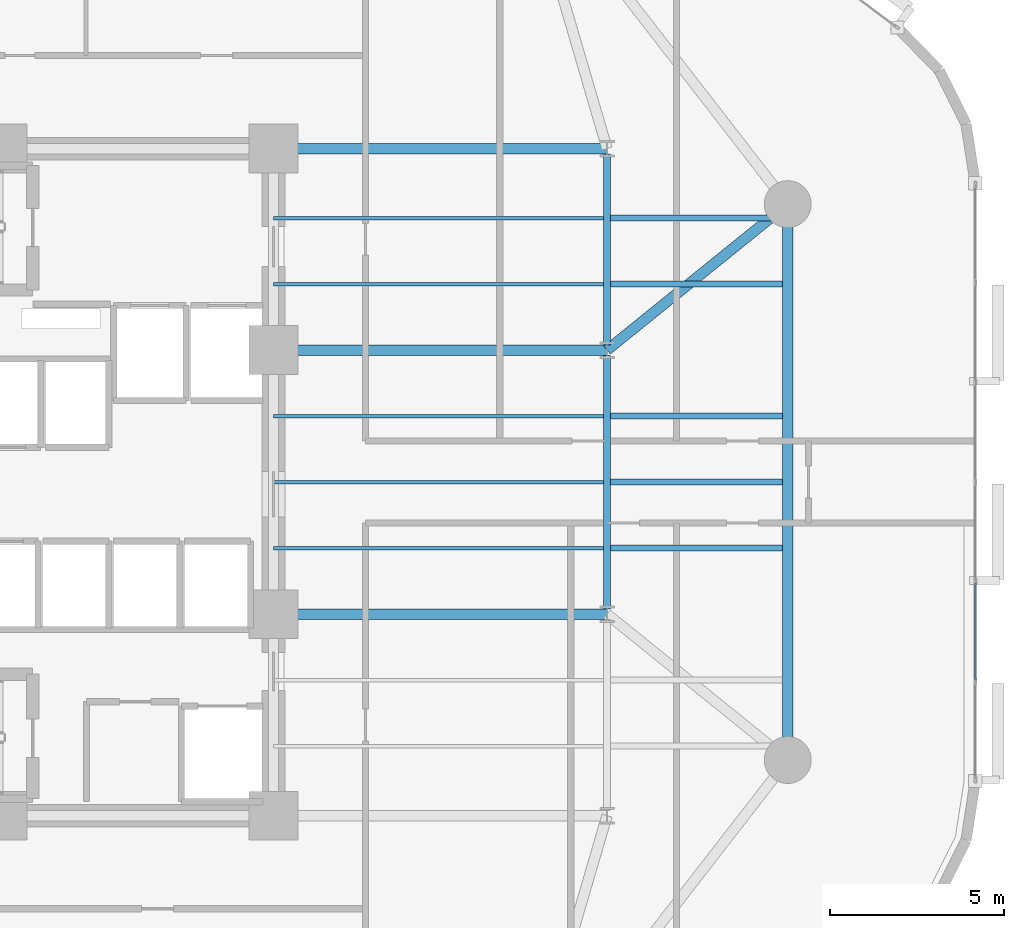
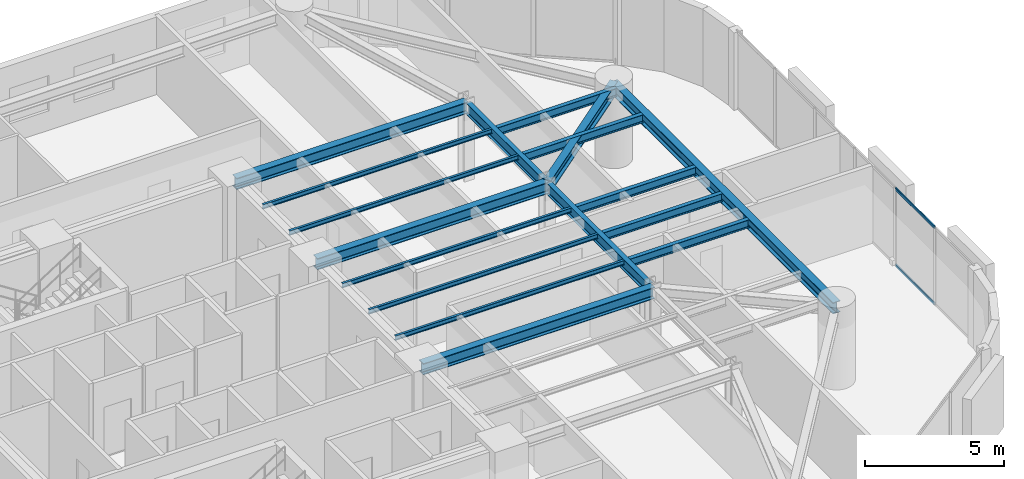
# One storey, part 5 of 16: 17 beams, 2 members, 1 element without a shape of its own.
"""IFC4 building model written with IfcOpenShell, lengths in metres."""

from ifc_helpers import new_model, si_unit, direction, frame, origin, origin_2d, place, context, subcontext, project, spatial, hollow_rectangle, i_section, extrude, material, layer, layer_set, material_profile, profile_set, type_object, element, aggregate, save


model = new_model("IFC4")

# Units and contexts
model_context = context("Model", 3, precision=1e-05, world=origin(), true_north=direction((0.0, 1.0)))
body_context = subcontext(model_context, "Body", "Model", "MODEL_VIEW")
ifc_project = project(units=[si_unit("LENGTHUNIT", "METRE"), si_unit("AREAUNIT", "SQUARE_METRE"), si_unit("VOLUMEUNIT", "CUBIC_METRE"), si_unit("PLANEANGLEUNIT", "RADIAN"), si_unit("MASSUNIT", "GRAM", prefix="KILO")], contexts=[model_context])

# Site, building, storey
site_placement = place(None, origin())
site = spatial("IfcSite", under=ifc_project, at=site_placement, CompositionType="ELEMENT")
building_placement = place(site_placement, origin())
building = spatial("IfcBuilding", under=site, at=building_placement, Name="An Khanh Terracotta Commons", CompositionType="ELEMENT")
storey_placement = place(building_placement, frame((0.0, 0.0, 111.5)))
storey = spatial("IfcBuildingStorey", under=building, at=storey_placement, Name="L29", CompositionType="ELEMENT", Elevation=111.5)

# Beams
ifc_material_1 = material(Name="Steel S355J2", Category="steel")
ifc_material_profile_1 = material_profile(ifc_material_1, i_section(OverallWidth=0.300048828125, OverallDepth=0.5, WebThickness=0.014404296875, FlangeThickness=0.028076171875, FilletRadius=0.027099609375, at=origin_2d()), Name="HEB500")
ifc_profile_set_1 = profile_set([ifc_material_profile_1], Name="Steel S355J2")
beam_type_1 = type_object("IfcBeamType", Name="BM-HEB500", PredefinedType="BEAM", material=ifc_profile_set_1)
beam_1_placement = place(storey_placement, frame((52.0, 16.0, 3.14990234375), z_axis=(0.0, 1.0, 0.0), x_axis=(-1.0, 0.0, 0.0)))
element("IfcBeam", 1, at=beam_1_placement, inside=storey, type_object=beam_type_1, Name="L29 Perimeter Ring Spandrel 3", PredefinedType="BEAM", context=body_context, shape_type="SweptSolid", body=[
    extrude(i_section(OverallWidth=0.300048828125, OverallDepth=0.5, WebThickness=0.014404296875, FlangeThickness=0.028076171875, FilletRadius=0.027099609375, at=origin_2d()), origin(), (0.0, 0.0, 1.0), 16.0),
])
for number, where, z_axis, x_axis, name in (
    (2, (37.199951171875, 20.199951171875, 3.14990234375), (1.0, 0.0, 0.0), (0.0, 1.0, 0.0), "L29 East Primary Floor Girder 2"),
    (3, (37.199951171875, 27.800048828125, 3.14990234375), (1.0, 0.0, 0.0), (0.0, 1.0, 0.0), "L29 East Primary Floor Girder 3"),
    (4, (37.199951171875, 33.60009765625, 3.14990234375), (1.0, 0.0, 0.0), (0.0, 1.0, 0.0), "L29 East Primary Floor Girder 4"),
):
    element("IfcBeam", number, at=place(storey_placement, frame(where, z_axis=z_axis, x_axis=x_axis)), inside=storey, type_object=beam_type_1, Name=name, PredefinedType="BEAM", context=body_context, shape_type="SweptSolid", body=[
        extrude(i_section(OverallWidth=0.300048828125, OverallDepth=0.5, WebThickness=0.014404296875, FlangeThickness=0.028076171875, FilletRadius=0.027099609375, at=origin_2d()), origin(), (0.0, 0.0, 1.0), 9.60009765625),
    ])
beam_2_placement = place(storey_placement, frame((52.0, 32.0, 3.14990234375), z_axis=(-0.777941866883, -0.628336256913, 0.0), x_axis=(0.628336256913, -0.777941866883, 0.0)))
element("IfcBeam", 5, at=beam_2_placement, inside=storey, type_object=beam_type_1, Name="L29 Mega-Column Tie Girder 4", PredefinedType="BEAM", context=body_context, shape_type="SweptSolid", body=[
    extrude(i_section(OverallWidth=0.300048828125, OverallDepth=0.5, WebThickness=0.014404296875, FlangeThickness=0.028076171875, FilletRadius=0.027099609375, at=origin_2d()), origin(), (0.0, 0.0, 1.0), 6.684326171875),
])
ifc_material_profile_2 = material_profile(ifc_material_1, i_section(OverallWidth=0.10009765625, OverallDepth=0.199951171875, WebThickness=0.005615234375, FlangeThickness=0.008544921875, FilletRadius=0.011962890625, at=origin_2d()), Name="IPE200")
ifc_profile_set_2 = profile_set([ifc_material_profile_2], Name="Steel S355J2")
beam_type_2 = type_object("IfcBeamType", Name="BM-IPE200", PredefinedType="JOIST", material=ifc_profile_set_2)
for number, where, z_axis, x_axis, name in (
    (6, (37.199951171875, 22.10009765625, 3.300048828125), (1.0, 0.0, 0.0), (0.0, 1.0, 0.0), "L29 Inboard Composite Joist 3"),
    (7, (37.199951171875, 24.0, 3.300048828125), (1.0, 0.0, 0.0), (0.0, 1.0, 0.0), "L29 Inboard Composite Joist 4"),
    (8, (37.199951171875, 25.89990234375, 3.300048828125), (1.0, 0.0, 0.0), (0.0, 1.0, 0.0), "L29 Inboard Composite Joist 5"),
    (9, (37.199951171875, 29.699951171875, 3.300048828125), (1.0, 0.0, 0.0), (0.0, 1.0, 0.0), "L29 Inboard Composite Joist 6"),
    (10, (37.199951171875, 31.60009765625, 3.300048828125), (1.0, 0.0, 0.0), (0.0, 1.0, 0.0), "L29 Inboard Composite Joist 7"),
):
    element("IfcBeam", number, at=place(storey_placement, frame(where, z_axis=z_axis, x_axis=x_axis)), inside=storey, type_object=beam_type_2, Name=name, PredefinedType="JOIST", context=body_context, shape_type="SweptSolid", body=[
        extrude(i_section(OverallWidth=0.10009765625, OverallDepth=0.199951171875, WebThickness=0.005615234375, FlangeThickness=0.008544921875, FilletRadius=0.011962890625, at=origin_2d()), origin(), (0.0, 0.0, 1.0), 9.5),
    ])
ifc_material_profile_3 = material_profile(ifc_material_1, i_section(OverallWidth=0.169921875, OverallDepth=0.360107421875, WebThickness=0.008056640625, FlangeThickness=0.0126953125, FilletRadius=0.01806640625, at=origin_2d()), Name="IPE360")
ifc_profile_set_3 = profile_set([ifc_material_profile_3], Name="Steel S355J2")
beam_type_3 = type_object("IfcBeamType", Name="BM-IPE360", PredefinedType="JOIST", material=ifc_profile_set_3)
for number, where, z_axis, x_axis, name in (
    (11, (46.89990234375, 22.10009765625, 3.219970703125), (1.0, 0.0, 0.0), (0.0, 1.0, 0.0), "L29 Riverfront Composite Joist 3"),
    (12, (46.89990234375, 24.0, 3.219970703125), (1.0, 0.0, 0.0), (0.0, 1.0, 0.0), "L29 Riverfront Composite Joist 4"),
    (13, (46.89990234375, 25.89990234375, 3.219970703125), (1.0, 0.0, 0.0), (0.0, 1.0, 0.0), "L29 Riverfront Composite Joist 5"),
    (14, (46.89990234375, 29.699951171875, 3.219970703125), (1.0, 0.0, 0.0), (0.0, 1.0, 0.0), "L29 Riverfront Composite Joist 6"),
    (15, (46.89990234375, 31.60009765625, 3.219970703125), (1.0, 0.0, 0.0), (0.0, 1.0, 0.0), "L29 Riverfront Composite Joist 7"),
):
    element("IfcBeam", number, at=place(storey_placement, frame(where, z_axis=z_axis, x_axis=x_axis)), inside=storey, type_object=beam_type_3, Name=name, PredefinedType="JOIST", context=body_context, shape_type="SweptSolid", body=[
        extrude(i_section(OverallWidth=0.169921875, OverallDepth=0.360107421875, WebThickness=0.008056640625, FlangeThickness=0.0126953125, FilletRadius=0.01806640625, at=origin_2d()), origin(), (0.0, 0.0, 1.0), 4.9501953125),
    ])
ifc_material_profile_4 = material_profile(ifc_material_1, i_section(OverallWidth=0.199951171875, OverallDepth=0.5, WebThickness=0.01025390625, FlangeThickness=0.01611328125, FilletRadius=0.02099609375, at=origin_2d()), Name="IPE500")
ifc_profile_set_4 = profile_set([ifc_material_profile_4], Name="Steel S355J2")
beam_type_4 = type_object("IfcBeamType", Name="BM-IPE500", PredefinedType="BEAM", material=ifc_profile_set_4)
beam_3_placement = place(storey_placement, frame((46.800048828125, 20.35009765625, 3.14990234375), z_axis=(0.0, 1.0, 0.0), x_axis=(-1.0, 0.0, 0.0)))
element("IfcBeam", 16, at=beam_3_placement, inside=storey, type_object=beam_type_4, Name="L29 East Spine Girder 2", PredefinedType="BEAM", context=body_context, shape_type="SweptSolid", body=[
    extrude(i_section(OverallWidth=0.199951171875, OverallDepth=0.5, WebThickness=0.01025390625, FlangeThickness=0.01611328125, FilletRadius=0.02099609375, at=origin_2d()), origin(), (0.0, 0.0, 1.0), 7.2998046875),
])
beam_4_placement = place(storey_placement, frame((46.800048828125, 27.949951171875, 3.14990234375), z_axis=(0.0, 1.0, 0.0), x_axis=(-1.0, 0.0, 0.0)))
element("IfcBeam", 17, at=beam_4_placement, inside=storey, type_object=beam_type_4, Name="L29 East Spine Girder 3", PredefinedType="BEAM", context=body_context, shape_type="SweptSolid", body=[
    extrude(i_section(OverallWidth=0.199951171875, OverallDepth=0.5, WebThickness=0.01025390625, FlangeThickness=0.01611328125, FilletRadius=0.02099609375, at=origin_2d()), origin(), (0.0, 0.0, 1.0), 5.5),
])

# Curtain wall, members
ifc_material_2 = material(Name="Anodised Aluminium 6063-T6", Category="aluminium")
ifc_layer = layer(ifc_material_2, 0.199951171875, Name="Anodised Aluminium 6063-T6")
ifc_layer_set = layer_set([ifc_layer], Name="Anodised Aluminium 6063-T6")
curtain_wall_type = type_object("IfcCurtainWallType", Name="CW-SYS-02", PredefinedType="USERDEFINED", material=ifc_layer_set)
curtain_wall_placement = place(storey_placement, origin())
curtain_wall = element("IfcCurtainWall", 18, at=curtain_wall_placement, inside=storey, type_object=curtain_wall_type, Name="L29 CW-02 Unitised Curtain Wall CW-L29-12", ObjectType="UNITISED CURTAIN WALL", PredefinedType="USERDEFINED")
ifc_material_profile_5 = material_profile(ifc_material_2, hollow_rectangle(XDim=0.06005859375, YDim=0.1201171875, WallThickness=0.003662109375, InnerFilletRadius=0.003662109375, OuterFilletRadius=0.007080078125, at=origin_2d()), Name="RHS120x60x3.6")
ifc_profile_set_5 = profile_set([ifc_material_profile_5], Name="Anodised Aluminium 6063-T6")
member_type = type_object("IfcMemberType", Name="CWT-RHS120x60x3.6", PredefinedType="USERDEFINED", material=ifc_profile_set_5)
member_1_placement = place(storey_placement, frame((57.39990234375, 18.3017578125, 0.030029296875), z_axis=(0.0, 1.0, 0.0), x_axis=(-1.0, 0.0, 0.0)))
member_1 = element("IfcMember", 19, at=member_1_placement, type_object=member_type, Name="CW-02 transom 2.1", ObjectType="TRANSOM", PredefinedType="USERDEFINED", context=body_context, shape_type="SweptSolid", body=[
    extrude(hollow_rectangle(XDim=0.06005859375, YDim=0.1201171875, WallThickness=0.003662109375, InnerFilletRadius=0.003662109375, OuterFilletRadius=0.007080078125, at=origin_2d()), origin(), (0.0, 0.0, 1.0), 2.796630859375),
])
member_2_placement = place(storey_placement, frame((57.39990234375, 18.3017578125, 3.3701171875), z_axis=(0.0, 1.0, 0.0), x_axis=(-1.0, 0.0, 0.0)))
member_2 = element("IfcMember", 20, at=member_2_placement, type_object=member_type, Name="CW-02 transom 2.2", ObjectType="TRANSOM", PredefinedType="USERDEFINED", context=body_context, shape_type="SweptSolid", body=[
    extrude(hollow_rectangle(XDim=0.06005859375, YDim=0.1201171875, WallThickness=0.003662109375, InnerFilletRadius=0.003662109375, OuterFilletRadius=0.007080078125, at=origin_2d()), origin(), (0.0, 0.0, 1.0), 2.796630859375),
])
aggregate(curtain_wall, [member_1, member_2])

save(model, "model.ifc")
